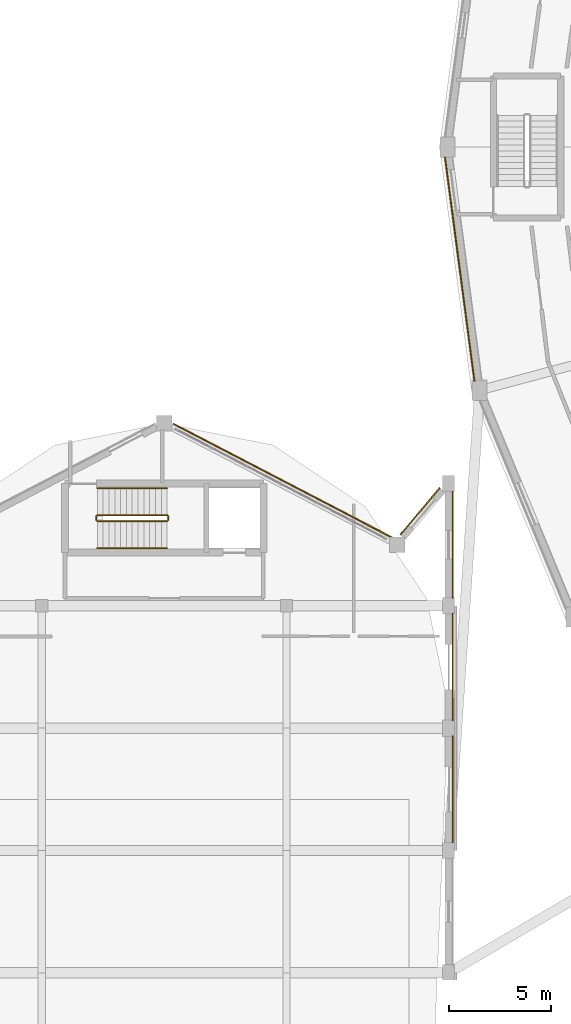
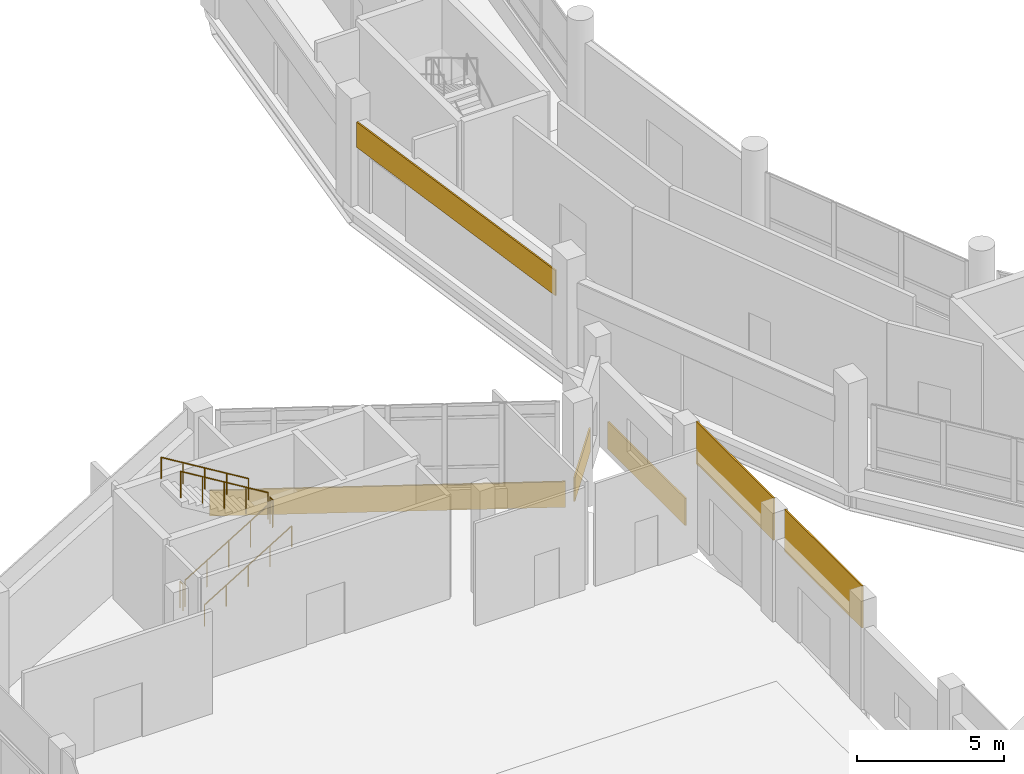
# One storey, part 117 of 129: 6 coverings, 6 railings.
"""IFC4 building model written with IfcOpenShell, lengths in metres."""

from ifc_helpers import new_model, si_unit, direction, frame, frame_2d, origin, origin_2d, place, context, subcontext, project, spatial, rectangle, circle, extrude, material, layer, layer_set, type_object, element, save


model = new_model("IFC4")

# Units and contexts
model_context = context("Model", 3, precision=1e-05, world=origin(), true_north=direction((0.0, 1.0)))
body_context = subcontext(model_context, "Body", "Model", "MODEL_VIEW")
ifc_project = project(units=[si_unit("LENGTHUNIT", "METRE"), si_unit("AREAUNIT", "SQUARE_METRE"), si_unit("VOLUMEUNIT", "CUBIC_METRE"), si_unit("PLANEANGLEUNIT", "RADIAN"), si_unit("MASSUNIT", "GRAM", prefix="KILO")], contexts=[model_context])

# Site, building, storey
site_placement = place(None, origin())
site = spatial("IfcSite", under=ifc_project, at=site_placement, CompositionType="ELEMENT")
building_placement = place(site_placement, origin())
building = spatial("IfcBuilding", under=site, at=building_placement, Name="Vespera Passage Community Centre", CompositionType="ELEMENT")
storey_placement = place(building_placement, origin())
storey = spatial("IfcBuildingStorey", under=building, at=storey_placement, Name="L00", CompositionType="ELEMENT", Elevation=0.0)

# Coverings
ifc_material_1 = material(Name="Precast concrete f'c 40 MPa", Category="concrete")
ifc_layer = layer(ifc_material_1, 0.06005859375)
ifc_layer_set = layer_set([ifc_layer], Name="Precast concrete f'c 40 MPa")
covering_type = type_object("IfcCoveringType", Name="COV-CLAD-60E", PredefinedType="CLADDING", material=ifc_layer_set)
covering_1_placement = place(storey_placement, frame((33.2197265625, 54.018798828125, 2.419921875), z_axis=(0.0, 0.0, 1.0), x_axis=(-0.130513242145, 0.991446566197, 0.0)))
element("IfcCovering", 1, at=covering_1_placement, inside=storey, type_object=covering_type, Name="V4 L00 Portal White Fascia O12", PredefinedType="CLADDING", context=body_context, shape_type="SweptSolid", body=[
    extrude(rectangle(XDim=11.075927734375, YDim=0.06005859375, at=frame_2d((5.5380859375, 0.0))), origin(), (0.0, 0.0, 1.0), 1.045654296875),
])
for number, where, z_axis, x_axis, name in (
    (2, (32.159912109375, 36.625, 2.75), (0.0, 0.0, 1.0), (0.0, -1.0, 0.0), "V1 L00 E5 White Fascia Band"),
    (3, (32.159912109375, 42.625, 2.75), (0.0, 0.0, 1.0), (0.0, -1.0, 0.0), "V1 L00 E6 White Fascia Band"),
):
    element("IfcCovering", number, at=place(storey_placement, frame(where, z_axis=z_axis, x_axis=x_axis)), inside=storey, type_object=covering_type, Name=name, PredefinedType="CLADDING", context=body_context, shape_type="SweptSolid", body=[
        extrude(rectangle(XDim=5.25, YDim=0.06005859375, at=frame_2d((2.625, 0.0))), origin(), (0.0, 0.0, 1.0), 1.75),
    ])
covering_2_placement = place(storey_placement, frame((32.159912109375, 48.625, -0.280029296875), z_axis=(0.0, 0.0, 1.0), x_axis=(0.0, -1.0, 0.0)))
element("IfcCovering", 4, at=covering_2_placement, inside=storey, type_object=covering_type, Name="V1 L00 E7 White Sill Band", PredefinedType="CLADDING", context=body_context, shape_type="SweptSolid", body=[
    extrude(rectangle(XDim=5.25, YDim=0.06005859375, at=frame_2d((2.625, 0.0))), origin(), (0.0, 0.0, 1.0), 1.130126953125),
])
covering_3_placement = place(storey_placement, frame((18.4404296875, 51.934814453125, -0.260009765625), z_axis=(0.0, 0.0, 1.0), x_axis=(0.887012674584, -0.46174507591, 0.0)))
element("IfcCovering", 5, at=covering_3_placement, inside=storey, type_object=covering_type, Name="V1 L00 N3 Apse White Band", PredefinedType="CLADDING", context=body_context, shape_type="SweptSolid", body=[
    extrude(rectangle(XDim=12.08740234375, YDim=0.06005859375, at=frame_2d((6.043701171875, 0.0))), origin(), (0.0, 0.0, 1.0), 1.06005859375),
])
covering_4_placement = place(storey_placement, frame((29.581298828125, 46.4794921875, -0.260009765625), z_axis=(0.0, 0.0, 1.0), x_axis=(0.643756356561, 0.765230523037, 0.0)))
element("IfcCovering", 6, at=covering_4_placement, inside=storey, type_object=covering_type, Name="V1 L00 N4 Apse Sill Band", PredefinedType="CLADDING", context=body_context, shape_type="SweptSolid", body=[
    extrude(rectangle(XDim=3.0126953125, YDim=0.06005859375, at=frame_2d((1.50634765625, 0.0))), origin(), (0.0, 0.0, 1.0), 0.97998046875),
])

# Railings
ifc_material_2 = material(Name="Steel ASTM A500 Grade C", Category="steel")
railing_type_1 = type_object("IfcRailingType", Name="RL-HAND-900I", PredefinedType="HANDRAIL", material=ifc_material_2)
railing_1_placement = place(storey_placement, frame((14.72509765625, 45.830078125, 0.173095703125)))
element("IfcRailing", 7, at=railing_1_placement, inside=storey, type_object=railing_type_1, Name="L00 ST01 stair handrail 1", PredefinedType="HANDRAIL", context=body_context, shape_type="SweptSolid", body=[
    extrude(circle(Radius=0.02392578125, at=origin_2d()), frame((0.0, 0.0, 0.8759765625), z_axis=(0.854729506542, 0.0, 0.519073665916), x_axis=(0.0, 1.0, 0.0)), (0.0, 0.0, 1.0), 4.001220703125),
    extrude(circle(Radius=0.02099609375, at=origin_2d()), origin(), (0.0, 0.0, 1.0), 0.851806640625),
    extrude(circle(Radius=0.02099609375, at=origin_2d()), frame((0.85498046875, 0.0, 0.519287109375)), (0.0, 0.0, 1.0), 0.851806640625),
    extrude(circle(Radius=0.02099609375, at=origin_2d()), frame((1.7099609375, 0.0, 1.03857421875)), (0.0, 0.0, 1.0), 0.851806640625),
    extrude(circle(Radius=0.02099609375, at=origin_2d()), frame((2.56494140625, 0.0, 1.5576171875)), (0.0, 0.0, 1.0), 0.851806640625),
    extrude(circle(Radius=0.02099609375, at=origin_2d()), frame((3.419921875, 0.0, 2.076904296875)), (0.0, 0.0, 1.0), 0.851806640625),
])
railing_2_placement = place(storey_placement, frame((18.14501953125, 48.77001953125, 2.423095703125)))
element("IfcRailing", 8, at=railing_2_placement, inside=storey, type_object=railing_type_1, Name="L00 ST01 stair handrail 2", PredefinedType="HANDRAIL", context=body_context, shape_type="SweptSolid", body=[
    extrude(circle(Radius=0.02392578125, at=origin_2d()), frame((0.0, 0.0, 0.8759765625), z_axis=(-0.854729506542, 0.0, 0.519073665916), x_axis=(0.0, -1.0, 0.0)), (0.0, 0.0, 1.0), 4.001220703125),
    extrude(circle(Radius=0.02099609375, at=origin_2d()), origin(), (0.0, 0.0, 1.0), 0.851806640625),
    extrude(circle(Radius=0.02099609375, at=origin_2d()), frame((-0.85498046875, 0.0, 0.519287109375)), (0.0, 0.0, 1.0), 0.851806640625),
    extrude(circle(Radius=0.02099609375, at=origin_2d()), frame((-1.7099609375, 0.0, 1.03857421875)), (0.0, 0.0, 1.0), 0.851806640625),
    extrude(circle(Radius=0.02099609375, at=origin_2d()), frame((-2.56494140625, 0.0, 1.5576171875)), (0.0, 0.0, 1.0), 0.851806640625),
    extrude(circle(Radius=0.02099609375, at=origin_2d()), frame((-3.419921875, 0.0, 2.076904296875)), (0.0, 0.0, 1.0), 0.851806640625),
])
ifc_material_3 = material(Name="Steel ASTM A500 Grade C", Category="steel")
railing_type_2 = type_object("IfcRailingType", Name="RL-STAIR-1100I", PredefinedType="GUARDRAIL", material=ifc_material_3)
railing_3_placement = place(storey_placement, frame((14.72509765625, 47.14990234375, 0.173095703125)))
element("IfcRailing", 9, at=railing_3_placement, inside=storey, type_object=railing_type_2, Name="L00 ST01 stair guard 1", PredefinedType="GUARDRAIL", context=body_context, shape_type="SweptSolid", body=[
    extrude(circle(Radius=0.02392578125, at=origin_2d()), frame((0.0, 0.0, 1.09619140625), z_axis=(0.854729506542, 0.0, 0.519073665916), x_axis=(0.0, 1.0, 0.0)), (0.0, 0.0, 1.0), 4.001220703125),
    extrude(circle(Radius=0.02099609375, at=origin_2d()), origin(), (0.0, 0.0, 1.0), 1.072021484375),
    extrude(circle(Radius=0.02099609375, at=origin_2d()), frame((0.85498046875, 0.0, 0.519287109375)), (0.0, 0.0, 1.0), 1.072021484375),
    extrude(circle(Radius=0.02099609375, at=origin_2d()), frame((1.7099609375, 0.0, 1.03857421875)), (0.0, 0.0, 1.0), 1.072021484375),
    extrude(circle(Radius=0.02099609375, at=origin_2d()), frame((2.56494140625, 0.0, 1.5576171875)), (0.0, 0.0, 1.0), 1.072021484375),
    extrude(circle(Radius=0.02099609375, at=origin_2d()), frame((3.419921875, 0.0, 2.076904296875)), (0.0, 0.0, 1.0), 1.072021484375),
])
railing_4_placement = place(storey_placement, frame((18.195068359375, 47.199951171875, 2.25)))
element("IfcRailing", 10, at=railing_4_placement, inside=storey, type_object=railing_type_2, Name="L00 ST01 stair guard 2", PredefinedType="GUARDRAIL", context=body_context, shape_type="SweptSolid", body=[
    extrude(circle(Radius=0.02392578125, at=origin_2d()), frame((0.0, 0.0, 1.09619140625), z_axis=(0.0, 1.0, 0.0), x_axis=(-1.0, 0.0, 0.0)), (0.0, 0.0, 1.0), 0.199951171875),
    extrude(circle(Radius=0.02099609375, at=origin_2d()), origin(), (0.0, 0.0, 1.0), 1.072021484375),
    extrude(circle(Radius=0.02099609375, at=origin_2d()), frame((0.0, 0.199951171875, 0.0)), (0.0, 0.0, 1.0), 1.072021484375),
])
railing_5_placement = place(storey_placement, frame((18.14501953125, 47.449951171875, 2.423095703125)))
element("IfcRailing", 11, at=railing_5_placement, inside=storey, type_object=railing_type_2, Name="L00 ST01 stair guard 3", PredefinedType="GUARDRAIL", context=body_context, shape_type="SweptSolid", body=[
    extrude(circle(Radius=0.02392578125, at=origin_2d()), frame((0.0, 0.0, 1.09619140625), z_axis=(-0.854729506542, 0.0, 0.519073665916), x_axis=(0.0, -1.0, 0.0)), (0.0, 0.0, 1.0), 4.001220703125),
    extrude(circle(Radius=0.02099609375, at=origin_2d()), origin(), (0.0, 0.0, 1.0), 1.072021484375),
    extrude(circle(Radius=0.02099609375, at=origin_2d()), frame((-0.85498046875, 0.0, 0.519287109375)), (0.0, 0.0, 1.0), 1.072021484375),
    extrude(circle(Radius=0.02099609375, at=origin_2d()), frame((-1.7099609375, 0.0, 1.03857421875)), (0.0, 0.0, 1.0), 1.072021484375),
    extrude(circle(Radius=0.02099609375, at=origin_2d()), frame((-2.56494140625, 0.0, 1.5576171875)), (0.0, 0.0, 1.0), 1.072021484375),
    extrude(circle(Radius=0.02099609375, at=origin_2d()), frame((-3.419921875, 0.0, 2.076904296875)), (0.0, 0.0, 1.0), 1.072021484375),
])
railing_6_placement = place(storey_placement, frame((14.675048828125, 47.199951171875, 0.0)))
element("IfcRailing", 12, at=railing_6_placement, inside=storey, type_object=railing_type_2, Name="L00 ST01 stair guard 4", PredefinedType="GUARDRAIL", context=body_context, shape_type="SweptSolid", body=[
    extrude(circle(Radius=0.02392578125, at=origin_2d()), frame((0.0, 0.0, 1.09619140625), z_axis=(0.0, 1.0, 0.0), x_axis=(-1.0, 0.0, 0.0)), (0.0, 0.0, 1.0), 0.199951171875),
    extrude(circle(Radius=0.02099609375, at=origin_2d()), origin(), (0.0, 0.0, 1.0), 1.072021484375),
    extrude(circle(Radius=0.02099609375, at=origin_2d()), frame((0.0, 0.199951171875, 0.0)), (0.0, 0.0, 1.0), 1.072021484375),
])

save(model, "model.ifc")
